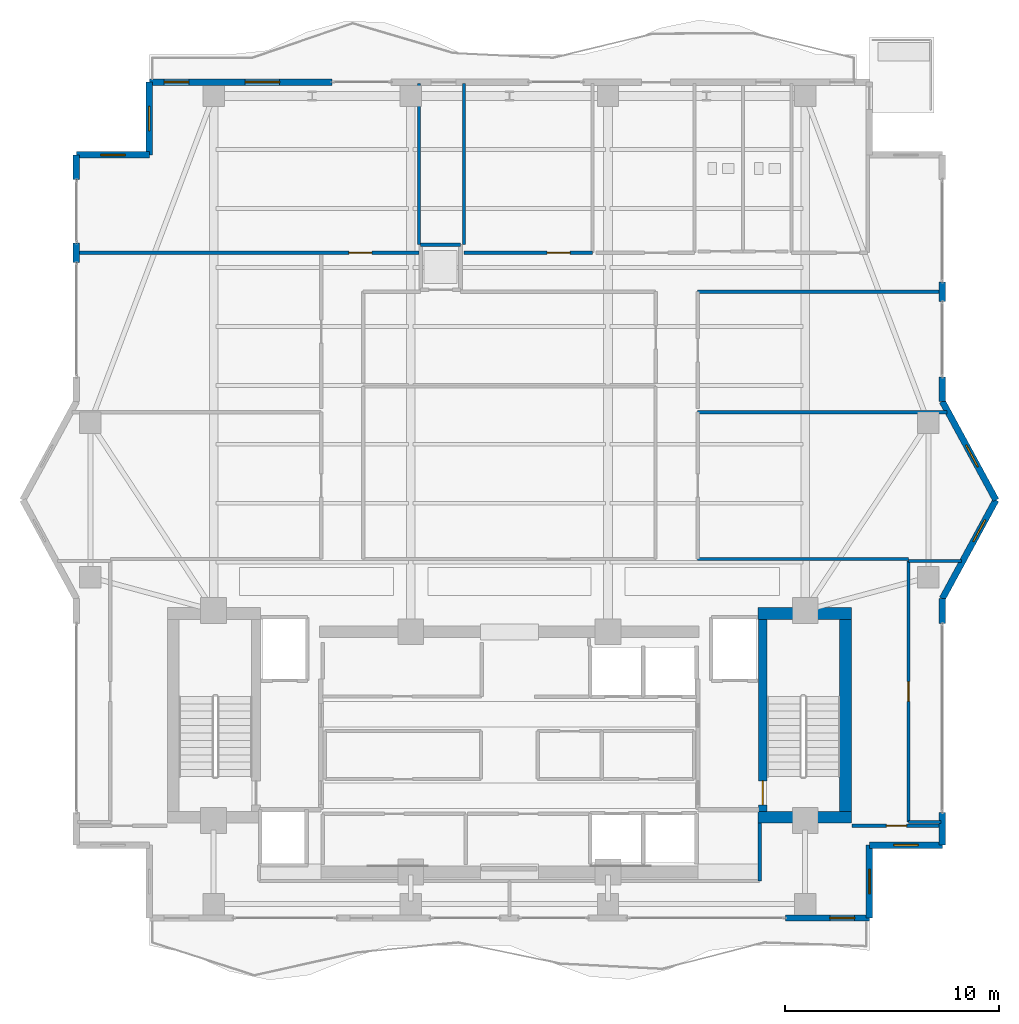
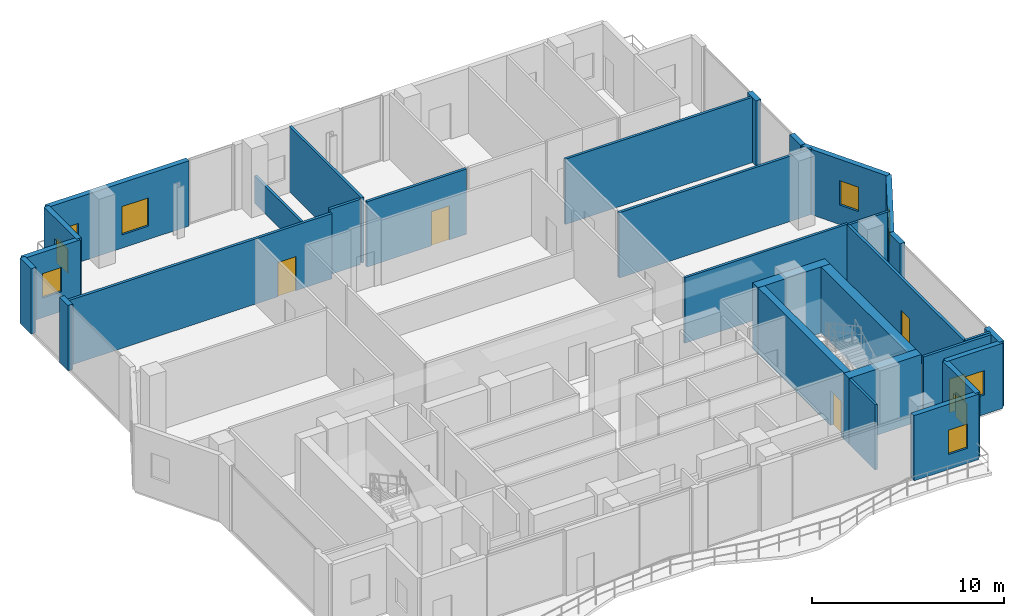
# One storey, part 19 of 24: 31 walls, 9 windows, 5 doors, 14 openings.
"""IFC4 building model written with IfcOpenShell, lengths in metres."""

from ifc_helpers import new_model, si_unit, direction, frame, frame_2d, origin, place, context, subcontext, project, spatial, rectangle, extrude, material, layer, layer_set, type_object, element, fill, save


model = new_model("IFC4")

# Units and contexts
model_context = context("Model", 3, precision=1e-05, world=origin(), true_north=direction((0.0, 1.0)))
body_context = subcontext(model_context, "Body", "Model", "MODEL_VIEW")
ifc_project = project(units=[si_unit("LENGTHUNIT", "METRE"), si_unit("AREAUNIT", "SQUARE_METRE"), si_unit("VOLUMEUNIT", "CUBIC_METRE"), si_unit("PLANEANGLEUNIT", "RADIAN"), si_unit("MASSUNIT", "GRAM", prefix="KILO")], contexts=[model_context])

# Site, building, storey
site_placement = place(None, origin())
site = spatial("IfcSite", under=ifc_project, at=site_placement, CompositionType="ELEMENT")
building_placement = place(site_placement, origin())
building = spatial("IfcBuilding", under=site, at=building_placement, Name="Zuhayl Quay Hotel", CompositionType="ELEMENT")
storey_placement = place(building_placement, frame((0.0, 0.0, 292.85009765625)))
storey = spatial("IfcBuildingStorey", under=building, at=storey_placement, Name="L74", CompositionType="ELEMENT", Elevation=292.85009765625)

# Walls
ifc_material_1 = material(Name="Concrete C50/60", Category="concrete")
ifc_layer_1 = layer(ifc_material_1, 0.550048828125, Name="Concrete C50/60", Category="concrete")
ifc_layer_set_1 = layer_set([ifc_layer_1], Name="Concrete C50/60")
wall_type_1 = type_object("IfcWallType", Name="WL_CORE_550", PredefinedType="SHEAR", material=ifc_layer_set_1)
wall_1_placement = place(storey_placement, frame((11.60009765625, 14.205078125, 0.0), z_axis=(0.0, 0.0, 1.0), x_axis=(1.0, 0.0, 0.0)))
element("IfcWall", 1, at=wall_1_placement, inside=storey, type_object=wall_type_1, Name="L74 Core Shear Wall CW_NE", PredefinedType="SHEAR", context=body_context, shape_type="SweptSolid", body=[
    extrude(rectangle(XDim=4.35986328125, YDim=0.550048828125, at=frame_2d((2.179931640625, 0.0))), origin(), (0.0, 0.0, 1.0), 4.2099609375),
])
wall_2_placement = place(storey_placement, frame((15.68505859375, 4.969970703125, 0.0), z_axis=(0.0, 0.0, 1.0), x_axis=(0.0, 1.0, 0.0)))
element("IfcWall", 2, at=wall_2_placement, inside=storey, type_object=wall_type_1, Name="L74 Core Shear Wall CW_E", PredefinedType="SHEAR", context=body_context, shape_type="SweptSolid", body=[
    extrude(rectangle(XDim=8.9599609375, YDim=0.550048828125, at=frame_2d((4.47998046875, 0.0))), origin(), (0.0, 0.0, 1.0), 4.2099609375),
])
wall_3_placement = place(storey_placement, frame((11.60009765625, 4.695068359375, 0.0), z_axis=(0.0, 0.0, 1.0), x_axis=(1.0, 0.0, 0.0)))
element("IfcWall", 3, at=wall_3_placement, inside=storey, type_object=wall_type_1, Name="L74 Core Shear Wall CW_SE", PredefinedType="SHEAR", context=body_context, shape_type="SweptSolid", body=[
    extrude(rectangle(XDim=4.35986328125, YDim=0.550048828125, at=frame_2d((2.179931640625, 0.0))), origin(), (0.0, 0.0, 1.0), 4.2099609375),
])
ifc_material_2 = material(Name="Precast concrete C45/55", Category="concrete")
ifc_layer_2 = layer(ifc_material_2, 0.300048828125, Name="Precast concrete C45/55", Category="concrete")
ifc_layer_set_2 = layer_set([ifc_layer_2], Name="Precast concrete C45/55")
wall_type_2 = type_object("IfcWallType", Name="WL_EXT_300", PredefinedType="STANDARD", material=ifc_layer_set_2)
wall_4_placement = place(storey_placement, frame((-20.199951171875, 30.590087890625, 0.0), z_axis=(0.0, 0.0, 1.0), x_axis=(0.0, 1.0, 0.0)))
element("IfcWall", 4, at=wall_4_placement, inside=storey, type_object=wall_type_2, Name="L74 Exterior Precast Wall ENV_L74_E05_EW2", PredefinedType="STANDARD", context=body_context, shape_type="SweptSolid", body=[
    extrude(rectangle(XDim=0.89990234375, YDim=0.300048828125, at=frame_2d((0.449951171875, 0.0))), origin(), (0.0, 0.0, 1.0), 4.159912109375),
])
wall_5_placement = place(storey_placement, frame((-20.199951171875, 34.449951171875, 0.0), z_axis=(0.0, 0.0, 1.0), x_axis=(0.0, 1.0, 0.0)))
element("IfcWall", 5, at=wall_5_placement, inside=storey, type_object=wall_type_2, Name="L74 Exterior Precast Wall ENV_L74_E05_EW3", PredefinedType="STANDARD", context=body_context, shape_type="SweptSolid", body=[
    extrude(rectangle(XDim=1.150146484375, YDim=0.300048828125, at=frame_2d((0.5751953125, 0.0))), origin(), (0.0, 0.0, 1.0), 4.159912109375),
])

# Wall, opening, window
wall_6_placement = place(storey_placement, frame((-20.199951171875, 35.60009765625, 0.0), z_axis=(0.0, 0.0, 1.0), x_axis=(1.0, 0.0, 0.0)))
wall_6 = element("IfcWall", 6, at=wall_6_placement, inside=storey, type_object=wall_type_2, Name="L74 Exterior Precast Wall ENV_L74_EW06", PredefinedType="STANDARD", context=body_context, shape_type="SweptSolid", body=[
    extrude(rectangle(XDim=3.39990234375, YDim=0.300048828125, at=frame_2d((1.699951171875, 0.0))), origin(), (0.0, 0.0, 1.0), 4.159912109375),
])
opening_1_placement = place(wall_6_placement, frame((1.125, 0.0, 1.25)))
opening_1 = element("IfcOpeningElement", 7, at=opening_1_placement, cuts=wall_6, Name="Opening W01N", PredefinedType="OPENING", context=body_context, shape_type="SweptSolid", body=[
    extrude(rectangle(XDim=1.14990234375, YDim=1.550048828125, at=frame_2d((0.574951171875, 0.77490234375))), frame((0.0, 0.159912109375, 0.0), z_axis=(0.0, -1.0, 0.0), x_axis=(1.0, 0.0, 0.0)), (0.0, 0.0, 1.0), 0.320068359375),
])
ifc_material_3 = material(Name="Dark Ceramic-Fritted Solar Glass", Category="glass")
window_type_1 = type_object("IfcWindowType", Name="WN_NOTCH_1350", PartitioningType="SINGLE_PANEL", PredefinedType="WINDOW", material=ifc_material_3)
window_1_placement = place(opening_1_placement, origin())
window_1 = element("IfcWindow", 8, at=window_1_placement, inside=storey, type_object=window_type_1, Name="L74 Corner Notch Window 6", OverallHeight=1.550048828125, OverallWidth=1.14990234375, PartitioningType="SINGLE_PANEL", PredefinedType="WINDOW", context=body_context, shape_type="SweptSolid", body=[
    extrude(rectangle(XDim=1.14990234375, YDim=1.550048828125, at=frame_2d((0.574951171875, 0.77490234375))), frame((0.0, 0.030029296875, 0.0), z_axis=(0.0, -1.0, 0.0), x_axis=(1.0, 0.0, 0.0)), (0.0, 0.0, 1.0), 0.06005859375),
])
fill(opening_1, window_1)

wall_7_placement = place(storey_placement, frame((-16.800048828125, 35.60009765625, 0.0), z_axis=(0.0, 0.0, 1.0), x_axis=(0.0, 1.0, 0.0)))
wall_7 = element("IfcWall", 9, at=wall_7_placement, inside=storey, type_object=wall_type_2, Name="L74 Exterior Precast Wall ENV_L74_EW07", PredefinedType="STANDARD", context=body_context, shape_type="SweptSolid", body=[
    extrude(rectangle(XDim=3.39990234375, YDim=0.300048828125, at=frame_2d((1.699951171875, 0.0))), origin(), (0.0, 0.0, 1.0), 4.159912109375),
])
opening_2_placement = place(wall_7_placement, frame((1.125, 0.0, 1.25)))
opening_2 = element("IfcOpeningElement", 10, at=opening_2_placement, cuts=wall_7, Name="Opening W01N", PredefinedType="OPENING", context=body_context, shape_type="SweptSolid", body=[
    extrude(rectangle(XDim=1.14990234375, YDim=1.550048828125, at=frame_2d((0.574951171875, 0.77490234375))), frame((0.0, 0.159912109375, 0.0), z_axis=(0.0, -1.0, 0.0), x_axis=(1.0, 0.0, 0.0)), (0.0, 0.0, 1.0), 0.320068359375),
])
window_2_placement = place(opening_2_placement, origin())
window_2 = element("IfcWindow", 11, at=window_2_placement, inside=storey, type_object=window_type_1, Name="L74 Corner Notch Window 7", OverallHeight=1.550048828125, OverallWidth=1.14990234375, PartitioningType="SINGLE_PANEL", PredefinedType="WINDOW", context=body_context, shape_type="SweptSolid", body=[
    extrude(rectangle(XDim=1.14990234375, YDim=1.550048828125, at=frame_2d((0.574951171875, 0.77490234375))), frame((0.0, 0.030029296875, 0.0), z_axis=(0.0, -1.0, 0.0), x_axis=(1.0, 0.0, 0.0)), (0.0, 0.0, 1.0), 0.06005859375),
])
fill(opening_2, window_2)

# Wall, openings, windows
wall_8_placement = place(storey_placement, frame((-16.800048828125, 39.0, 0.0), z_axis=(0.0, 0.0, 1.0), x_axis=(1.0, 0.0, 0.0)))
wall_8 = element("IfcWall", 12, at=wall_8_placement, inside=storey, type_object=wall_type_2, Name="L74 Exterior Precast Wall ENV_L74_N_EW1", PredefinedType="STANDARD", context=body_context, shape_type="SweptSolid", body=[
    extrude(rectangle(XDim=8.52001953125, YDim=0.300048828125, at=frame_2d((4.260009765625, 0.0))), origin(), (0.0, 0.0, 1.0), 4.159912109375),
])
opening_3_placement = place(wall_8_placement, frame((4.47607421875, 0.0, 0.85009765625)))
opening_3 = element("IfcOpeningElement", 13, at=opening_3_placement, cuts=wall_8, Name="Opening W01", PredefinedType="OPENING", context=body_context, shape_type="SweptSolid", body=[
    extrude(rectangle(XDim=1.60009765625, YDim=1.800048828125, at=frame_2d((0.800048828125, 0.89990234375))), frame((0.0, 0.159912109375, 0.0), z_axis=(0.0, -1.0, 0.0), x_axis=(1.0, 0.0, 0.0)), (0.0, 0.0, 1.0), 0.320068359375),
])
opening_4_placement = place(wall_8_placement, frame((0.695068359375, 0.0, 0.949951171875)))
opening_4 = element("IfcOpeningElement", 14, at=opening_4_placement, cuts=wall_8, Name="Opening W01N", PredefinedType="OPENING", context=body_context, shape_type="SweptSolid", body=[
    extrude(rectangle(XDim=1.14990234375, YDim=1.550048828125, at=frame_2d((0.574951171875, 0.77490234375))), frame((0.0, 0.159912109375, 0.0), z_axis=(0.0, -1.0, 0.0), x_axis=(1.0, 0.0, 0.0)), (0.0, 0.0, 1.0), 0.320068359375),
])
window_3_placement = place(opening_4_placement, origin())
window_3 = element("IfcWindow", 15, at=window_3_placement, inside=storey, type_object=window_type_1, Name="L74 Operable Facade Window 1-1", OverallHeight=1.550048828125, OverallWidth=1.14990234375, PartitioningType="SINGLE_PANEL", PredefinedType="WINDOW", context=body_context, shape_type="SweptSolid", body=[
    extrude(rectangle(XDim=1.14990234375, YDim=1.550048828125, at=frame_2d((0.574951171875, 0.77490234375))), frame((0.0, 0.030029296875, 0.0), z_axis=(0.0, -1.0, 0.0), x_axis=(1.0, 0.0, 0.0)), (0.0, 0.0, 1.0), 0.06005859375),
])
fill(opening_4, window_3)
window_type_2 = type_object("IfcWindowType", Name="WN_OPERABLE_1600", PartitioningType="DOUBLE_PANEL_VERTICAL", PredefinedType="WINDOW", material=ifc_material_3)
window_4_placement = place(opening_3_placement, origin())
window_4 = element("IfcWindow", 16, at=window_4_placement, inside=storey, type_object=window_type_2, Name="L74 North Operable Casement Window", OverallHeight=1.800048828125, OverallWidth=1.60009765625, PartitioningType="SINGLE_PANEL", PredefinedType="WINDOW", context=body_context, shape_type="SweptSolid", body=[
    extrude(rectangle(XDim=1.60009765625, YDim=1.800048828125, at=frame_2d((0.800048828125, 0.89990234375))), frame((0.0, 0.030029296875, 0.0), z_axis=(0.0, -1.0, 0.0), x_axis=(1.0, 0.0, 0.0)), (0.0, 0.0, 1.0), 0.06005859375),
])
fill(opening_3, window_4)

# Walls
wall_9_placement = place(storey_placement, frame((20.199951171875, 29.669921875, 0.0), z_axis=(0.0, 0.0, 1.0), x_axis=(0.0, -1.0, 0.0)))
element("IfcWall", 17, at=wall_9_placement, inside=storey, type_object=wall_type_2, Name="L74 Exterior Precast Wall ENV_L74_E11_EW2", PredefinedType="STANDARD", context=body_context, shape_type="SweptSolid", body=[
    extrude(rectangle(XDim=0.89990234375, YDim=0.300048828125, at=frame_2d((0.449951171875, 0.0))), origin(), (0.0, 0.0, 1.0), 4.159912109375),
])
wall_10_placement = place(storey_placement, frame((20.199951171875, 25.25, 0.0), z_axis=(0.0, 0.0, 1.0), x_axis=(0.0, -1.0, 0.0)))
element("IfcWall", 18, at=wall_10_placement, inside=storey, type_object=wall_type_2, Name="L74 Exterior Precast Wall ENV_L74_E11_EW3", PredefinedType="STANDARD", context=body_context, shape_type="SweptSolid", body=[
    extrude(rectangle(XDim=1.14990234375, YDim=0.300048828125, at=frame_2d((0.574951171875, 0.0))), origin(), (0.0, 0.0, 1.0), 4.159912109375),
])

# Wall, opening, window
wall_11_placement = place(storey_placement, frame((20.199951171875, 24.10009765625, 0.0), z_axis=(0.0, 0.0, 1.0), x_axis=(0.477505494629, -0.878628762675, 0.0)))
wall_11 = element("IfcWall", 19, at=wall_11_placement, inside=storey, type_object=wall_type_2, Name="L74 Exterior Precast Wall ENV_L74_EW12", PredefinedType="STANDARD", context=body_context, shape_type="SweptSolid", body=[
    extrude(rectangle(XDim=5.235595703125, YDim=0.300048828125, at=frame_2d((2.61767578125, 0.0))), origin(), (0.0, 0.0, 1.0), 4.159912109375),
])
opening_5_placement = place(wall_11_placement, frame((2.322998046875, 0.0, 1.25)))
opening_5 = element("IfcOpeningElement", 20, at=opening_5_placement, cuts=wall_11, Name="Opening W01N", PredefinedType="OPENING", context=body_context, shape_type="SweptSolid", body=[
    extrude(rectangle(XDim=1.14990234375, YDim=1.550048828125, at=frame_2d((0.574951171875, 0.77490234375))), frame((0.0, 0.159912109375, 0.0), z_axis=(0.0, -1.0, 0.0), x_axis=(1.0, 0.0, 0.0)), (0.0, 0.0, 1.0), 0.320068359375),
])
window_5_placement = place(opening_5_placement, origin())
window_5 = element("IfcWindow", 21, at=window_5_placement, inside=storey, type_object=window_type_1, Name="L74 Corner Notch Window 12", OverallHeight=1.550048828125, OverallWidth=1.14990234375, PartitioningType="SINGLE_PANEL", PredefinedType="WINDOW", context=body_context, shape_type="SweptSolid", body=[
    extrude(rectangle(XDim=1.14990234375, YDim=1.550048828125, at=frame_2d((0.574951171875, 0.77490234375))), frame((0.0, 0.030029296875, 0.0), z_axis=(0.0, -1.0, 0.0), x_axis=(1.0, 0.0, 0.0)), (0.0, 0.0, 1.0), 0.06005859375),
])
fill(opening_5, window_5)

wall_12_placement = place(storey_placement, frame((22.699951171875, 19.5, 0.0), z_axis=(0.0, 0.0, 1.0), x_axis=(-0.477505494629, -0.878628762675, 0.0)))
wall_12 = element("IfcWall", 22, at=wall_12_placement, inside=storey, type_object=wall_type_2, Name="L74 Exterior Precast Wall ENV_L74_EW13", PredefinedType="STANDARD", context=body_context, shape_type="SweptSolid", body=[
    extrude(rectangle(XDim=5.235595703125, YDim=0.300048828125, at=frame_2d((2.61767578125, 0.0))), origin(), (0.0, 0.0, 1.0), 4.159912109375),
])
opening_6_placement = place(wall_12_placement, frame((1.05126953125, 0.0, 1.25)))
opening_6 = element("IfcOpeningElement", 23, at=opening_6_placement, cuts=wall_12, Name="Opening W01N", PredefinedType="OPENING", context=body_context, shape_type="SweptSolid", body=[
    extrude(rectangle(XDim=1.14990234375, YDim=1.550048828125, at=frame_2d((0.574951171875, 0.77490234375))), frame((0.0, 0.159912109375, 0.0), z_axis=(0.0, -1.0, 0.0), x_axis=(1.0, 0.0, 0.0)), (0.0, 0.0, 1.0), 0.320068359375),
])
window_6_placement = place(opening_6_placement, origin())
window_6 = element("IfcWindow", 24, at=window_6_placement, inside=storey, type_object=window_type_1, Name="L74 Corner Notch Window 13", OverallHeight=1.550048828125, OverallWidth=1.14990234375, PartitioningType="SINGLE_PANEL", PredefinedType="WINDOW", context=body_context, shape_type="SweptSolid", body=[
    extrude(rectangle(XDim=1.14990234375, YDim=1.550048828125, at=frame_2d((0.574951171875, 0.77490234375))), frame((0.0, 0.030029296875, 0.0), z_axis=(0.0, -1.0, 0.0), x_axis=(1.0, 0.0, 0.0)), (0.0, 0.0, 1.0), 0.06005859375),
])
fill(opening_6, window_6)

# Walls
wall_13_placement = place(storey_placement, frame((20.199951171875, 14.89990234375, 0.0), z_axis=(0.0, 0.0, 1.0), x_axis=(0.0, -1.0, 0.0)))
element("IfcWall", 25, at=wall_13_placement, inside=storey, type_object=wall_type_2, Name="L74 Exterior Precast Wall ENV_L74_E14_EW1", PredefinedType="STANDARD", context=body_context, shape_type="SweptSolid", body=[
    extrude(rectangle(XDim=1.14990234375, YDim=0.300048828125, at=frame_2d((0.574951171875, 0.0))), origin(), (0.0, 0.0, 1.0), 4.159912109375),
])
wall_14_placement = place(storey_placement, frame((20.199951171875, 4.929931640625, 0.0), z_axis=(0.0, 0.0, 1.0), x_axis=(0.0, -1.0, 0.0)))
element("IfcWall", 26, at=wall_14_placement, inside=storey, type_object=wall_type_2, Name="L74 Exterior Precast Wall ENV_L74_E14_EW2", PredefinedType="STANDARD", context=body_context, shape_type="SweptSolid", body=[
    extrude(rectangle(XDim=1.530029296875, YDim=0.300048828125, at=frame_2d((0.76513671875, 0.0))), origin(), (0.0, 0.0, 1.0), 4.159912109375),
])

# Wall, opening, window
wall_15_placement = place(storey_placement, frame((20.199951171875, 3.39990234375, 0.0), z_axis=(0.0, 0.0, 1.0), x_axis=(-1.0, 0.0, 0.0)))
wall_15 = element("IfcWall", 27, at=wall_15_placement, inside=storey, type_object=wall_type_2, Name="L74 Exterior Precast Wall ENV_L74_EW15", PredefinedType="STANDARD", context=body_context, shape_type="SweptSolid", body=[
    extrude(rectangle(XDim=3.39990234375, YDim=0.300048828125, at=frame_2d((1.699951171875, 0.0))), origin(), (0.0, 0.0, 1.0), 4.159912109375),
])
opening_7_placement = place(wall_15_placement, frame((1.125, 0.0, 1.25)))
opening_7 = element("IfcOpeningElement", 28, at=opening_7_placement, cuts=wall_15, Name="Opening W01N", PredefinedType="OPENING", context=body_context, shape_type="SweptSolid", body=[
    extrude(rectangle(XDim=1.14990234375, YDim=1.550048828125, at=frame_2d((0.574951171875, 0.77490234375))), frame((0.0, 0.159912109375, 0.0), z_axis=(0.0, -1.0, 0.0), x_axis=(1.0, 0.0, 0.0)), (0.0, 0.0, 1.0), 0.320068359375),
])
window_7_placement = place(opening_7_placement, origin())
window_7 = element("IfcWindow", 29, at=window_7_placement, inside=storey, type_object=window_type_1, Name="L74 Corner Notch Window 15", OverallHeight=1.550048828125, OverallWidth=1.14990234375, PartitioningType="SINGLE_PANEL", PredefinedType="WINDOW", context=body_context, shape_type="SweptSolid", body=[
    extrude(rectangle(XDim=1.14990234375, YDim=1.550048828125, at=frame_2d((0.574951171875, 0.77490234375))), frame((0.0, 0.030029296875, 0.0), z_axis=(0.0, -1.0, 0.0), x_axis=(1.0, 0.0, 0.0)), (0.0, 0.0, 1.0), 0.06005859375),
])
fill(opening_7, window_7)

wall_16_placement = place(storey_placement, frame((16.800048828125, 3.39990234375, 0.0), z_axis=(0.0, 0.0, 1.0), x_axis=(0.0, -1.0, 0.0)))
wall_16 = element("IfcWall", 30, at=wall_16_placement, inside=storey, type_object=wall_type_2, Name="L74 Exterior Precast Wall ENV_L74_EW16", PredefinedType="STANDARD", context=body_context, shape_type="SweptSolid", body=[
    extrude(rectangle(XDim=3.39990234375, YDim=0.300048828125, at=frame_2d((1.699951171875, 0.0))), origin(), (0.0, 0.0, 1.0), 4.159912109375),
])
opening_8_placement = place(wall_16_placement, frame((1.125, 0.0, 1.25)))
opening_8 = element("IfcOpeningElement", 31, at=opening_8_placement, cuts=wall_16, Name="Opening W01N", PredefinedType="OPENING", context=body_context, shape_type="SweptSolid", body=[
    extrude(rectangle(XDim=1.14990234375, YDim=1.550048828125, at=frame_2d((0.574951171875, 0.77490234375))), frame((0.0, 0.159912109375, 0.0), z_axis=(0.0, -1.0, 0.0), x_axis=(1.0, 0.0, 0.0)), (0.0, 0.0, 1.0), 0.320068359375),
])
window_8_placement = place(opening_8_placement, origin())
window_8 = element("IfcWindow", 32, at=window_8_placement, inside=storey, type_object=window_type_1, Name="L74 Corner Notch Window 16", OverallHeight=1.550048828125, OverallWidth=1.14990234375, PartitioningType="SINGLE_PANEL", PredefinedType="WINDOW", context=body_context, shape_type="SweptSolid", body=[
    extrude(rectangle(XDim=1.14990234375, YDim=1.550048828125, at=frame_2d((0.574951171875, 0.77490234375))), frame((0.0, 0.030029296875, 0.0), z_axis=(0.0, -1.0, 0.0), x_axis=(1.0, 0.0, 0.0)), (0.0, 0.0, 1.0), 0.06005859375),
])
fill(opening_8, window_8)

wall_17_placement = place(storey_placement, frame((16.800048828125, 0.0, 0.0), z_axis=(0.0, 0.0, 1.0), x_axis=(-1.0, 0.0, 0.0)))
wall_17 = element("IfcWall", 33, at=wall_17_placement, inside=storey, type_object=wall_type_2, Name="L74 Exterior Precast Wall ENV_L74_S_EW1", PredefinedType="STANDARD", context=body_context, shape_type="SweptSolid", body=[
    extrude(rectangle(XDim=3.920166015625, YDim=0.300048828125, at=frame_2d((1.9599609375, 0.0))), origin(), (0.0, 0.0, 1.0), 4.159912109375),
])
opening_9_placement = place(wall_17_placement, frame((0.695068359375, 0.0, 0.949951171875)))
opening_9 = element("IfcOpeningElement", 34, at=opening_9_placement, cuts=wall_17, Name="Opening W01N", PredefinedType="OPENING", context=body_context, shape_type="SweptSolid", body=[
    extrude(rectangle(XDim=1.14990234375, YDim=1.550048828125, at=frame_2d((0.574951171875, 0.77490234375))), frame((0.0, 0.159912109375, 0.0), z_axis=(0.0, -1.0, 0.0), x_axis=(1.0, 0.0, 0.0)), (0.0, 0.0, 1.0), 0.320068359375),
])
window_9_placement = place(opening_9_placement, origin())
window_9 = element("IfcWindow", 35, at=window_9_placement, inside=storey, type_object=window_type_1, Name="L74 Operable Facade Window 1-1", OverallHeight=1.550048828125, OverallWidth=1.14990234375, PartitioningType="SINGLE_PANEL", PredefinedType="WINDOW", context=body_context, shape_type="SweptSolid", body=[
    extrude(rectangle(XDim=1.14990234375, YDim=1.550048828125, at=frame_2d((0.574951171875, 0.77490234375))), frame((0.0, 0.030029296875, 0.0), z_axis=(0.0, -1.0, 0.0), x_axis=(1.0, 0.0, 0.0)), (0.0, 0.0, 1.0), 0.06005859375),
])
fill(opening_9, window_9)

# Walls
ifc_material_4 = material(Name="Acoustic Gypsum Partition STC-58")
ifc_layer_3 = layer(ifc_material_4, 0.14990234375, Name="Acoustic Gypsum Partition STC-58")
ifc_layer_set_3 = layer_set([ifc_layer_3], Name="Acoustic Gypsum Partition STC-58")
wall_type_3 = type_object("IfcWallType", Name="WL_PART_150", PredefinedType="PARTITIONING", material=ifc_layer_set_3)
wall_18_placement = place(storey_placement, frame((11.679931640625, 1.719970703125, 0.0), z_axis=(0.0, 0.0, 1.0), x_axis=(0.0, 1.0, 0.0)))
element("IfcWall", 36, at=wall_18_placement, inside=storey, type_object=wall_type_3, Name="L74 Partition IW_L74_Z4_SUN_SE_IN", PredefinedType="PARTITIONING", context=body_context, shape_type="SweptSolid", body=[
    extrude(rectangle(XDim=2.699951171875, YDim=0.14990234375, at=frame_2d((1.35009765625, 0.0))), origin(), (0.0, 0.0, 1.0), 4.159912109375),
])
wall_19_placement = place(storey_placement, frame((18.6201171875, 4.47998046875, 0.0), z_axis=(0.0, 0.0, 1.0), x_axis=(1.0, 0.0, 0.0)))
element("IfcWall", 37, at=wall_19_placement, inside=storey, type_object=wall_type_3, Name="L74 Partition IW_L74_PROW_ST_E_S", PredefinedType="PARTITIONING", context=body_context, shape_type="SweptSolid", body=[
    extrude(rectangle(XDim=1.519775390625, YDim=0.14990234375, at=frame_2d((0.759765625, 0.0))), origin(), (0.0, 0.0, 1.0), 4.159912109375),
])
wall_20_placement = place(storey_placement, frame((18.6201171875, 16.64990234375, 0.0), z_axis=(0.0, 0.0, 1.0), x_axis=(1.0, 0.0, 0.0)))
element("IfcWall", 38, at=wall_20_placement, inside=storey, type_object=wall_type_3, Name="L74 Partition IW_L74_PROW_ST_E_N", PredefinedType="PARTITIONING", context=body_context, shape_type="SweptSolid", body=[
    extrude(rectangle(XDim=2.470947265625, YDim=0.14990234375, at=frame_2d((1.2353515625, 0.0))), origin(), (0.0, 0.0, 1.0), 4.159912109375),
])
wall_21_placement = place(storey_placement, frame((-4.219970703125, 31.419921875, 0.0), z_axis=(0.0, 0.0, 1.0), x_axis=(0.0, 1.0, 0.0)))
element("IfcWall", 39, at=wall_21_placement, inside=storey, type_object=wall_type_3, Name="L74 Partition IW_L74_OBS_NW_E", PredefinedType="PARTITIONING", context=body_context, shape_type="SweptSolid", body=[
    extrude(rectangle(XDim=7.52001953125, YDim=0.14990234375, at=frame_2d((3.760009765625, 0.0))), origin(), (0.0, 0.0, 1.0), 1.760009765625),
])
wall_22_placement = place(storey_placement, frame((-2.1201171875, 31.419921875, 0.0), z_axis=(0.0, 0.0, 1.0), x_axis=(0.0, 1.0, 0.0)))
element("IfcWall", 40, at=wall_22_placement, inside=storey, type_object=wall_type_3, Name="L74 Partition IW_L74_OBS_NC_W", PredefinedType="PARTITIONING", context=body_context, shape_type="SweptSolid", body=[
    extrude(rectangle(XDim=7.52001953125, YDim=0.14990234375, at=frame_2d((3.760009765625, 0.0))), origin(), (0.0, 0.0, 1.0), 4.159912109375),
])
wall_23_placement = place(storey_placement, frame((8.780029296875, 16.75, 0.0), z_axis=(0.0, 0.0, 1.0), x_axis=(1.0, 0.0, 0.0)))
element("IfcWall", 41, at=wall_23_placement, inside=storey, type_object=wall_type_3, Name="L74 Partition IW_L74_EAST_OFF1_S", PredefinedType="PARTITIONING", context=body_context, shape_type="SweptSolid", body=[
    extrude(rectangle(XDim=9.840087890625, YDim=0.14990234375, at=frame_2d((4.919921875, 0.0))), origin(), (0.0, 0.0, 1.0), 4.159912109375),
])
wall_24_placement = place(storey_placement, frame((8.780029296875, 23.60009765625, 0.0), z_axis=(0.0, 0.0, 1.0), x_axis=(1.0, 0.0, 0.0)))
element("IfcWall", 42, at=wall_24_placement, inside=storey, type_object=wall_type_3, Name="L74 Partition IW_L74_EAST_OFF1_N", PredefinedType="PARTITIONING", context=body_context, shape_type="SweptSolid", body=[
    extrude(rectangle(XDim=11.631591796875, YDim=0.14990234375, at=frame_2d((5.81591796875, 0.0))), origin(), (0.0, 0.0, 1.0), 4.159912109375),
])
wall_25_placement = place(storey_placement, frame((8.780029296875, 29.219970703125, 0.0), z_axis=(0.0, 0.0, 1.0), x_axis=(1.0, 0.0, 0.0)))
element("IfcWall", 43, at=wall_25_placement, inside=storey, type_object=wall_type_3, Name="L74 Partition IW_L74_EAST_OFF2_N", PredefinedType="PARTITIONING", context=body_context, shape_type="SweptSolid", body=[
    extrude(rectangle(XDim=11.35986328125, YDim=0.14990234375, at=frame_2d((5.679931640625, 0.0))), origin(), (0.0, 0.0, 1.0), 4.159912109375),
])

# Wall, opening, door
ifc_layer_4 = layer(ifc_material_4, 0.159912109375, Name="Acoustic Gypsum Partition STC-58")
ifc_layer_set_4 = layer_set([ifc_layer_4], Name="Acoustic Gypsum Partition STC-58")
wall_type_4 = type_object("IfcWallType", Name="WL_PART_CORR_160", PredefinedType="PARTITIONING", material=ifc_layer_set_4)
wall_26_placement = place(storey_placement, frame((15.97998046875, 4.300048828125, 0.0), z_axis=(0.0, 0.0, 1.0), x_axis=(1.0, 0.0, 0.0)))
wall_26 = element("IfcWall", 44, at=wall_26_placement, inside=storey, type_object=wall_type_4, Name="L74 Partition IW_L74_Z4_SUN_SE_N", PredefinedType="PARTITIONING", context=body_context, shape_type="SweptSolid", body=[
    extrude(rectangle(XDim=4.159912109375, YDim=0.159912109375, at=frame_2d((2.080078125, 0.0))), origin(), (0.0, 0.0, 1.0), 4.159912109375),
])
opening_10_placement = place(wall_26_placement, frame((1.60498046875, 0.0, 0.0)))
opening_10 = element("IfcOpeningElement", 45, at=opening_10_placement, cuts=wall_26, Name="Opening D03", PredefinedType="OPENING", context=body_context, shape_type="SweptSolid", body=[
    extrude(rectangle(XDim=0.949951171875, YDim=2.14990234375, at=frame_2d((0.47509765625, 1.074951171875))), frame((0.0, 0.08984375, 0.0), z_axis=(0.0, -1.0, 0.0), x_axis=(1.0, 0.0, 0.0)), (0.0, 0.0, 1.0), 0.179931640625),
])
ifc_material_5 = material(Name="Solid Walnut Acoustic Fire Door")
door_type_1 = type_object("IfcDoorType", Name="DR_SUITE_950", OperationType="NOTDEFINED", PredefinedType="DOOR", material=ifc_material_5)
door_1_placement = place(opening_10_placement, origin())
door_1 = element("IfcDoor", 46, at=door_1_placement, inside=storey, type_object=door_type_1, Name="L74 Sunset Salon SE Door", OperationType="SINGLE_SWING_RIGHT", OverallHeight=2.14990234375, OverallWidth=0.949951171875, PredefinedType="DOOR", context=body_context, shape_type="SweptSolid", body=[
    extrude(rectangle(XDim=0.949951171875, YDim=2.14990234375, at=frame_2d((0.47509765625, 1.074951171875))), frame((0.0, 0.02490234375, 0.0), z_axis=(0.0, -1.0, 0.0), x_axis=(1.0, 0.0, 0.0)), (0.0, 0.0, 1.0), 0.050048828125),
])
fill(opening_10, door_1)

wall_27_placement = place(storey_placement, frame((18.6201171875, 4.47998046875, 0.0), z_axis=(0.0, 0.0, 1.0), x_axis=(0.0, 1.0, 0.0)))
wall_27 = element("IfcWall", 47, at=wall_27_placement, inside=storey, type_object=wall_type_4, Name="L74 Partition IW_L74_PROW_ST_E_W", PredefinedType="PARTITIONING", context=body_context, shape_type="SweptSolid", body=[
    extrude(rectangle(XDim=12.169921875, YDim=0.159912109375, at=frame_2d((6.0849609375, 0.0))), origin(), (0.0, 0.0, 1.0), 4.159912109375),
])
opening_11_placement = place(wall_27_placement, frame((5.625, 0.0, 0.0)))
opening_11 = element("IfcOpeningElement", 48, at=opening_11_placement, cuts=wall_27, Name="Opening D05", PredefinedType="OPENING", context=body_context, shape_type="SweptSolid", body=[
    extrude(rectangle(XDim=0.919921875, YDim=2.1201171875, at=frame_2d((0.4599609375, 1.06005859375))), frame((0.0, 0.08984375, 0.0), z_axis=(0.0, -1.0, 0.0), x_axis=(1.0, 0.0, 0.0)), (0.0, 0.0, 1.0), 0.179931640625),
])
door_type_2 = type_object("IfcDoorType", Name="DR_INT_950", OperationType="NOTDEFINED", PredefinedType="DOOR", material=ifc_material_5)
door_2_placement = place(opening_11_placement, origin())
door_2 = element("IfcDoor", 49, at=door_2_placement, inside=storey, type_object=door_type_2, Name="L74 East Prow Atmospheric Study Door", OperationType="SINGLE_SWING_RIGHT", OverallHeight=2.1201171875, OverallWidth=0.919921875, PredefinedType="DOOR", context=body_context, shape_type="SweptSolid", body=[
    extrude(rectangle(XDim=0.919921875, YDim=2.1201171875, at=frame_2d((0.4599609375, 1.06005859375))), frame((0.0, 0.02490234375, 0.0), z_axis=(0.0, -1.0, 0.0), x_axis=(1.0, 0.0, 0.0)), (0.0, 0.0, 1.0), 0.050048828125),
])
fill(opening_11, door_2)

wall_28_placement = place(storey_placement, frame((-20.139892578125, 31.0400390625, 0.0), z_axis=(0.0, 0.0, 1.0), x_axis=(1.0, 0.0, 0.0)))
wall_28 = element("IfcWall", 50, at=wall_28_placement, inside=storey, type_object=wall_type_4, Name="L74 Partition IW_L74_OBS_NW_S", PredefinedType="PARTITIONING", context=body_context, shape_type="SweptSolid", body=[
    extrude(rectangle(XDim=15.919921875, YDim=0.159912109375, at=frame_2d((7.9599609375, 0.0))), origin(), (0.0, 0.0, 1.0), 4.159912109375),
])
opening_12_placement = place(wall_28_placement, frame((12.64990234375, 0.0, 0.0)))
opening_12 = element("IfcOpeningElement", 51, at=opening_12_placement, cuts=wall_28, Name="Opening D05A", PredefinedType="OPENING", context=body_context, shape_type="SweptSolid", body=[
    extrude(rectangle(XDim=1.080078125, YDim=2.179931640625, at=frame_2d((0.5400390625, 1.08984375))), frame((0.0, 0.08984375, 0.0), z_axis=(0.0, -1.0, 0.0), x_axis=(1.0, 0.0, 0.0)), (0.0, 0.0, 1.0), 0.179931640625),
])
door_type_3 = type_object("IfcDoorType", Name="DR_INT_1100", OperationType="NOTDEFINED", PredefinedType="DOOR", material=ifc_material_5)
door_3_placement = place(opening_12_placement, origin())
door_3 = element("IfcDoor", 52, at=door_3_placement, inside=storey, type_object=door_type_3, Name="L74 Executive Sky Research Office Door", OperationType="SINGLE_SWING_LEFT", OverallHeight=2.179931640625, OverallWidth=1.080078125, PredefinedType="DOOR", context=body_context, shape_type="SweptSolid", body=[
    extrude(rectangle(XDim=1.080078125, YDim=2.179931640625, at=frame_2d((0.5400390625, 1.08984375))), frame((0.0, 0.02490234375, 0.0), z_axis=(0.0, -1.0, 0.0), x_axis=(1.0, 0.0, 0.0)), (0.0, 0.0, 1.0), 0.050048828125),
])
fill(opening_12, door_3)

wall_29_placement = place(storey_placement, frame((-2.1201171875, 31.0400390625, 0.0), z_axis=(0.0, 0.0, 1.0), x_axis=(1.0, 0.0, 0.0)))
wall_29 = element("IfcWall", 53, at=wall_29_placement, inside=storey, type_object=wall_type_4, Name="L74 Partition IW_L74_OBS_NC_S", PredefinedType="PARTITIONING", context=body_context, shape_type="SweptSolid", body=[
    extrude(rectangle(XDim=6.0, YDim=0.159912109375, at=frame_2d((3.0, 0.0))), origin(), (0.0, 0.0, 1.0), 4.159912109375),
])
opening_13_placement = place(wall_29_placement, frame((3.8798828125, 0.0, 0.0)))
opening_13 = element("IfcOpeningElement", 54, at=opening_13_placement, cuts=wall_29, Name="Opening D05A", PredefinedType="OPENING", context=body_context, shape_type="SweptSolid", body=[
    extrude(rectangle(XDim=1.080078125, YDim=2.179931640625, at=frame_2d((0.5400390625, 1.08984375))), frame((0.0, 0.08984375, 0.0), z_axis=(0.0, -1.0, 0.0), x_axis=(1.0, 0.0, 0.0)), (0.0, 0.0, 1.0), 0.179931640625),
])
door_4_placement = place(opening_13_placement, origin())
door_4 = element("IfcDoor", 55, at=door_4_placement, inside=storey, type_object=door_type_3, Name="L74 Central Telescope Viewing Deck Door", OperationType="SINGLE_SWING_RIGHT", OverallHeight=2.179931640625, OverallWidth=1.080078125, PredefinedType="DOOR", context=body_context, shape_type="SweptSolid", body=[
    extrude(rectangle(XDim=1.080078125, YDim=2.179931640625, at=frame_2d((0.5400390625, 1.08984375))), frame((0.0, 0.02490234375, 0.0), z_axis=(0.0, -1.0, 0.0), x_axis=(1.0, 0.0, 0.0)), (0.0, 0.0, 1.0), 0.050048828125),
])
fill(opening_13, door_4)

# Wall
ifc_material_6 = material(Name="Gypsum Fireboard Assembly EI-90")
ifc_layer_5 = layer(ifc_material_6, 0.1650390625, Name="Gypsum Fireboard Assembly EI-90")
ifc_layer_set_5 = layer_set([ifc_layer_5], Name="Gypsum Fireboard Assembly EI-90")
wall_type_5 = type_object("IfcWallType", Name="WL_PART_SHAFT_160", PredefinedType="PARTITIONING", material=ifc_layer_set_5)
wall_30_placement = place(storey_placement, frame((-4.139892578125, 31.419921875, 0.0), z_axis=(0.0, 0.0, 1.0), x_axis=(1.0, 0.0, 0.0)))
element("IfcWall", 56, at=wall_30_placement, inside=storey, type_object=wall_type_5, Name="L74 Partition IW_L74_SH_CLF1_N", PredefinedType="PARTITIONING", context=body_context, shape_type="SweptSolid", body=[
    extrude(rectangle(XDim=1.85986328125, YDim=0.1650390625, at=frame_2d((0.929931640625, 0.0))), origin(), (0.0, 0.0, 1.0), 4.159912109375),
])

# Wall, opening, door
ifc_material_7 = material(Name="Concrete C60/75", Category="concrete")
ifc_layer_6 = layer(ifc_material_7, 0.39990234375, Name="Concrete C60/75", Category="concrete")
ifc_layer_set_6 = layer_set([ifc_layer_6], Name="Concrete C60/75")
wall_type_6 = type_object("IfcWallType", Name="WL_STAIR_400", PredefinedType="SHEAR", material=ifc_layer_set_6)
wall_31_placement = place(storey_placement, frame((11.820068359375, 13.929931640625, 0.0), z_axis=(0.0, 0.0, 1.0), x_axis=(0.0, -1.0, 0.0)))
wall_31 = element("IfcWall", 57, at=wall_31_placement, inside=storey, type_object=wall_type_6, Name="L74 Core Shear Wall SW_ST2", PredefinedType="SHEAR", context=body_context, shape_type="SweptSolid", body=[
    extrude(rectangle(XDim=8.9599609375, YDim=0.39990234375, at=frame_2d((4.47998046875, 0.0))), origin(), (0.0, 0.0, 1.0), 4.2099609375),
])
opening_14_placement = place(wall_31_placement, frame((7.530029296875, 0.0, 0.0)))
opening_14 = element("IfcOpeningElement", 58, at=opening_14_placement, cuts=wall_31, Name="Opening D01", PredefinedType="OPENING", context=body_context, shape_type="SweptSolid", body=[
    extrude(rectangle(XDim=1.1201171875, YDim=2.219970703125, at=frame_2d((0.56005859375, 1.10986328125))), frame((0.0, 0.2099609375, 0.0), z_axis=(0.0, -1.0, 0.0), x_axis=(1.0, 0.0, 0.0)), (0.0, 0.0, 1.0), 0.419921875),
])
ifc_material_8 = material(Name="Steel ASTM A992 Grade 50", Category="steel")
door_type_4 = type_object("IfcDoorType", Name="DR_STAIR_90_1100", OperationType="NOTDEFINED", PredefinedType="DOOR", material=ifc_material_8)
door_5_placement = place(opening_14_placement, origin())
door_5 = element("IfcDoor", 59, at=door_5_placement, inside=storey, type_object=door_type_4, Name="L74 Smokeproof Exit Stair ST2 Door", OperationType="SINGLE_SWING_RIGHT", OverallHeight=2.219970703125, OverallWidth=1.1201171875, PredefinedType="DOOR", context=body_context, shape_type="SweptSolid", body=[
    extrude(rectangle(XDim=1.1201171875, YDim=2.219970703125, at=frame_2d((0.56005859375, 1.10986328125))), frame((0.0, 0.02490234375, 0.0), z_axis=(0.0, -1.0, 0.0), x_axis=(1.0, 0.0, 0.0)), (0.0, 0.0, 1.0), 0.050048828125),
])
fill(opening_14, door_5)

save(model, "model.ifc")
